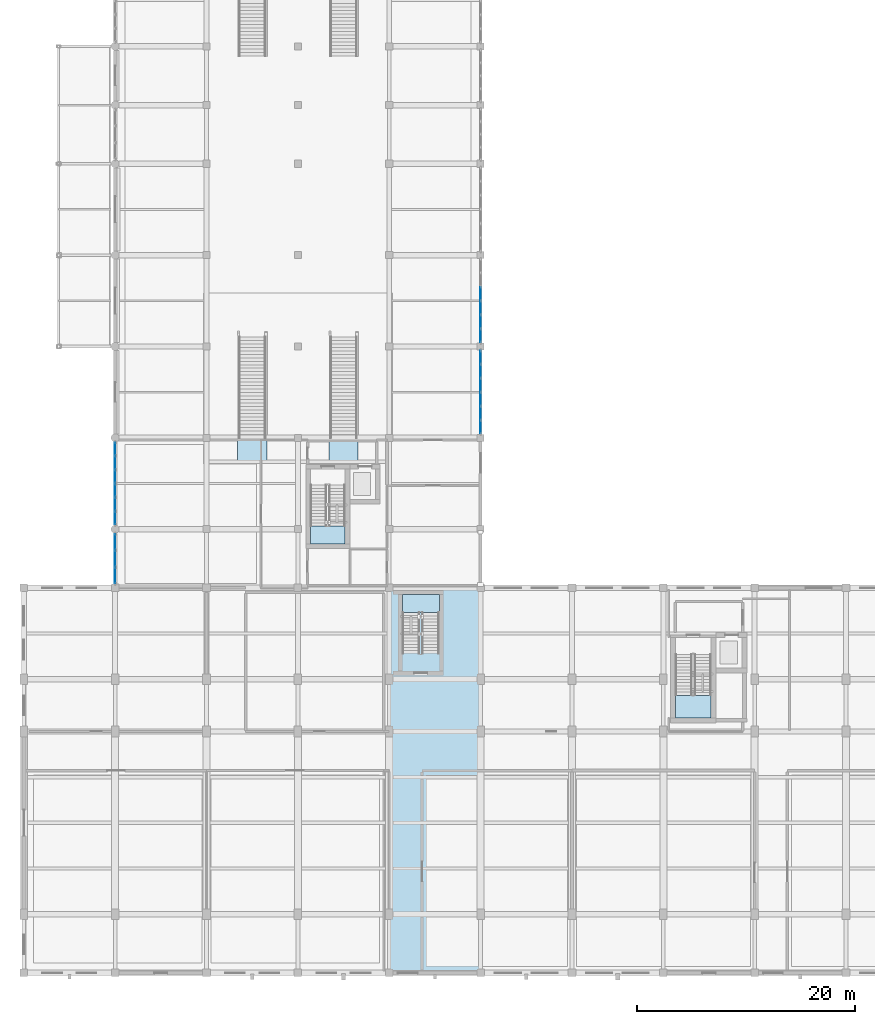
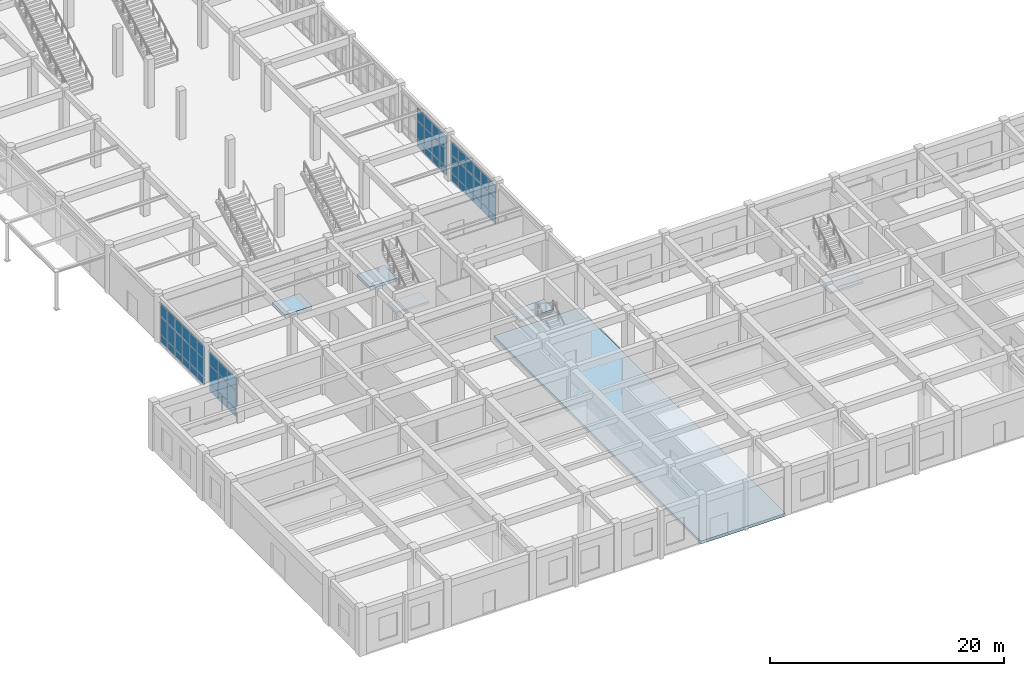
# One storey, part 43 of 80: 57 plates, 6 slabs, 7 elements without a shape of their own.
"""IFC4 building model written with IfcOpenShell, lengths in metres."""

from ifc_helpers import new_model, si_unit, direction, frame, origin, origin_2d, place, context, subcontext, project, spatial, polyline, rectangle, outline, extrude, material, layer, layer_set, type_object, element, aggregate, save


model = new_model("IFC4")

# Units and contexts
model_context = context("Model", 3, precision=1e-05, world=origin(), true_north=direction((0.0, 1.0)))
body_context = subcontext(model_context, "Body", "Model", "MODEL_VIEW")
ifc_project = project(units=[si_unit("LENGTHUNIT", "METRE"), si_unit("AREAUNIT", "SQUARE_METRE"), si_unit("VOLUMEUNIT", "CUBIC_METRE"), si_unit("PLANEANGLEUNIT", "RADIAN"), si_unit("MASSUNIT", "GRAM", prefix="KILO")], contexts=[model_context])

# Site, building, storey
site_placement = place(None, origin())
site = spatial("IfcSite", under=ifc_project, at=site_placement, CompositionType="ELEMENT")
building_placement = place(site_placement, origin())
building = spatial("IfcBuilding", under=site, at=building_placement, Name="Krzemoval Escarpment Law Courts", CompositionType="ELEMENT")
storey_placement = place(building_placement, origin())
storey = spatial("IfcBuildingStorey", under=building, at=storey_placement, Name="L00", CompositionType="ELEMENT", Elevation=0.0)

# Curtain wall, plates
ifc_material_1 = material(Name="Aluminium 6063-T6", Category="aluminium")
ifc_layer_1 = layer(ifc_material_1, 0.280029296875)
ifc_layer_set_1 = layer_set([ifc_layer_1], Name="Aluminium 6063-T6")
curtain_wall_type = type_object("IfcCurtainWallType", Name="CW-HALL-5100", PredefinedType="USERDEFINED", material=ifc_layer_set_1)
curtain_wall_1_placement = place(storey_placement, origin())
curtain_wall_1 = element("IfcCurtainWall", 1, at=curtain_wall_1_placement, inside=storey, type_object=curtain_wall_type, Name="Unitised Curtain Wall FCW-L00-001", ObjectType="UNITISED_CURTAIN_WALL", PredefinedType="USERDEFINED")
ifc_material_2 = material(Name="Triple Glazing IGU", Category="glass")
ifc_layer_2 = layer(ifc_material_2, 0.053955078125)
ifc_layer_set_2 = layer_set([ifc_layer_2], Name="Triple Glazing IGU")
plate_type = type_object("IfcPlateType", Name="CWP-GLZ-54", PredefinedType="CURTAIN_PANEL", material=ifc_layer_set_2)
plate_1_placement = place(storey_placement, frame((8.39990234375, 36.550537109375, 0.0849609375), z_axis=(0.0, 0.0, 1.0), x_axis=(0.0, 1.0, 0.0)))
plate_1 = element("IfcPlate", 2, at=plate_1_placement, type_object=plate_type, Name="FCW-L00-001 panel 1.1", PredefinedType="CURTAIN_PANEL", context=body_context, shape_type="SweptSolid", body=[
    extrude(rectangle(XDim=1.430908203125, YDim=0.053955078125, at=origin_2d()), origin(), (0.0, 0.0, 1.0), 0.7724609375),
])
plate_2_placement = place(storey_placement, frame((8.39990234375, 36.550537109375, 0.942626953125), z_axis=(0.0, 0.0, 1.0), x_axis=(0.0, 1.0, 0.0)))
plate_2 = element("IfcPlate", 3, at=plate_2_placement, type_object=plate_type, Name="FCW-L00-001 panel 1.2", PredefinedType="CURTAIN_PANEL", context=body_context, shape_type="SweptSolid", body=[
    extrude(rectangle(XDim=1.430908203125, YDim=0.053955078125, at=origin_2d()), origin(), (0.0, 0.0, 1.0), 1.81494140625),
])
plate_3_placement = place(storey_placement, frame((8.39990234375, 36.550537109375, 2.842529296875), z_axis=(0.0, 0.0, 1.0), x_axis=(0.0, 1.0, 0.0)))
plate_3 = element("IfcPlate", 4, at=plate_3_placement, type_object=plate_type, Name="FCW-L00-001 panel 1.3", PredefinedType="CURTAIN_PANEL", context=body_context, shape_type="SweptSolid", body=[
    extrude(rectangle(XDim=1.430908203125, YDim=0.053955078125, at=origin_2d()), origin(), (0.0, 0.0, 1.0), 1.29248046875),
])
plate_4_placement = place(storey_placement, frame((8.39990234375, 38.08740234375, 0.0849609375), z_axis=(0.0, 0.0, 1.0), x_axis=(0.0, 1.0, 0.0)))
plate_4 = element("IfcPlate", 5, at=plate_4_placement, type_object=plate_type, Name="FCW-L00-001 panel 2.1", PredefinedType="CURTAIN_PANEL", context=body_context, shape_type="SweptSolid", body=[
    extrude(rectangle(XDim=1.473388671875, YDim=0.053955078125, at=origin_2d()), origin(), (0.0, 0.0, 1.0), 0.7724609375),
])
plate_5_placement = place(storey_placement, frame((8.39990234375, 38.08740234375, 0.942626953125), z_axis=(0.0, 0.0, 1.0), x_axis=(0.0, 1.0, 0.0)))
plate_5 = element("IfcPlate", 6, at=plate_5_placement, type_object=plate_type, Name="FCW-L00-001 panel 2.2", PredefinedType="CURTAIN_PANEL", context=body_context, shape_type="SweptSolid", body=[
    extrude(rectangle(XDim=1.473388671875, YDim=0.053955078125, at=origin_2d()), origin(), (0.0, 0.0, 1.0), 1.81494140625),
])
plate_6_placement = place(storey_placement, frame((8.39990234375, 38.08740234375, 2.842529296875), z_axis=(0.0, 0.0, 1.0), x_axis=(0.0, 1.0, 0.0)))
plate_6 = element("IfcPlate", 7, at=plate_6_placement, type_object=plate_type, Name="FCW-L00-001 panel 2.3", PredefinedType="CURTAIN_PANEL", context=body_context, shape_type="SweptSolid", body=[
    extrude(rectangle(XDim=1.473388671875, YDim=0.053955078125, at=origin_2d()), origin(), (0.0, 0.0, 1.0), 1.29248046875),
])
plate_7_placement = place(storey_placement, frame((8.39990234375, 39.62451171875, 0.0849609375), z_axis=(0.0, 0.0, 1.0), x_axis=(0.0, 1.0, 0.0)))
plate_7 = element("IfcPlate", 8, at=plate_7_placement, type_object=plate_type, Name="FCW-L00-001 panel 3.1", PredefinedType="CURTAIN_PANEL", context=body_context, shape_type="SweptSolid", body=[
    extrude(rectangle(XDim=1.430908203125, YDim=0.053955078125, at=origin_2d()), origin(), (0.0, 0.0, 1.0), 0.7724609375),
])
plate_8_placement = place(storey_placement, frame((8.39990234375, 39.62451171875, 0.942626953125), z_axis=(0.0, 0.0, 1.0), x_axis=(0.0, 1.0, 0.0)))
plate_8 = element("IfcPlate", 9, at=plate_8_placement, type_object=plate_type, Name="FCW-L00-001 panel 3.2", PredefinedType="CURTAIN_PANEL", context=body_context, shape_type="SweptSolid", body=[
    extrude(rectangle(XDim=1.430908203125, YDim=0.053955078125, at=origin_2d()), origin(), (0.0, 0.0, 1.0), 1.81494140625),
])
plate_9_placement = place(storey_placement, frame((8.39990234375, 39.62451171875, 2.842529296875), z_axis=(0.0, 0.0, 1.0), x_axis=(0.0, 1.0, 0.0)))
plate_9 = element("IfcPlate", 10, at=plate_9_placement, type_object=plate_type, Name="FCW-L00-001 panel 3.3", PredefinedType="CURTAIN_PANEL", context=body_context, shape_type="SweptSolid", body=[
    extrude(rectangle(XDim=1.430908203125, YDim=0.053955078125, at=origin_2d()), origin(), (0.0, 0.0, 1.0), 1.29248046875),
])
aggregate(curtain_wall_1, [plate_1, plate_2, plate_3, plate_4, plate_5, plate_6, plate_7, plate_8, plate_9])

curtain_wall_2_placement = place(storey_placement, origin())
curtain_wall_2 = element("IfcCurtainWall", 11, at=curtain_wall_2_placement, inside=storey, type_object=curtain_wall_type, Name="Unitised Curtain Wall FCW-L00-002", ObjectType="UNITISED_CURTAIN_WALL", PredefinedType="USERDEFINED")
plate_10_placement = place(storey_placement, frame((8.39990234375, 41.833740234375, 0.0849609375), z_axis=(0.0, 0.0, 1.0), x_axis=(0.0, 1.0, 0.0)))
plate_10 = element("IfcPlate", 12, at=plate_10_placement, type_object=plate_type, Name="FCW-L00-002 panel 1.1", PredefinedType="CURTAIN_PANEL", context=body_context, shape_type="SweptSolid", body=[
    extrude(rectangle(XDim=1.1474609375, YDim=0.053955078125, at=origin_2d()), origin(), (0.0, 0.0, 1.0), 0.7724609375),
])
plate_11_placement = place(storey_placement, frame((8.39990234375, 41.833740234375, 0.942626953125), z_axis=(0.0, 0.0, 1.0), x_axis=(0.0, 1.0, 0.0)))
plate_11 = element("IfcPlate", 13, at=plate_11_placement, type_object=plate_type, Name="FCW-L00-002 panel 1.2", PredefinedType="CURTAIN_PANEL", context=body_context, shape_type="SweptSolid", body=[
    extrude(rectangle(XDim=1.1474609375, YDim=0.053955078125, at=origin_2d()), origin(), (0.0, 0.0, 1.0), 1.81494140625),
])
plate_12_placement = place(storey_placement, frame((8.39990234375, 41.833740234375, 2.842529296875), z_axis=(0.0, 0.0, 1.0), x_axis=(0.0, 1.0, 0.0)))
plate_12 = element("IfcPlate", 14, at=plate_12_placement, type_object=plate_type, Name="FCW-L00-002 panel 1.3", PredefinedType="CURTAIN_PANEL", context=body_context, shape_type="SweptSolid", body=[
    extrude(rectangle(XDim=1.1474609375, YDim=0.053955078125, at=origin_2d()), origin(), (0.0, 0.0, 1.0), 1.29248046875),
])
plate_13_placement = place(storey_placement, frame((8.39990234375, 43.08740234375, 0.0849609375), z_axis=(0.0, 0.0, 1.0), x_axis=(0.0, 1.0, 0.0)))
plate_13 = element("IfcPlate", 15, at=plate_13_placement, type_object=plate_type, Name="FCW-L00-002 panel 2.1", PredefinedType="CURTAIN_PANEL", context=body_context, shape_type="SweptSolid", body=[
    extrude(rectangle(XDim=1.18994140625, YDim=0.053955078125, at=origin_2d()), origin(), (0.0, 0.0, 1.0), 0.7724609375),
])
plate_14_placement = place(storey_placement, frame((8.39990234375, 43.08740234375, 0.942626953125), z_axis=(0.0, 0.0, 1.0), x_axis=(0.0, 1.0, 0.0)))
plate_14 = element("IfcPlate", 16, at=plate_14_placement, type_object=plate_type, Name="FCW-L00-002 panel 2.2", PredefinedType="CURTAIN_PANEL", context=body_context, shape_type="SweptSolid", body=[
    extrude(rectangle(XDim=1.18994140625, YDim=0.053955078125, at=origin_2d()), origin(), (0.0, 0.0, 1.0), 1.81494140625),
])
plate_15_placement = place(storey_placement, frame((8.39990234375, 43.08740234375, 2.842529296875), z_axis=(0.0, 0.0, 1.0), x_axis=(0.0, 1.0, 0.0)))
plate_15 = element("IfcPlate", 17, at=plate_15_placement, type_object=plate_type, Name="FCW-L00-002 panel 2.3", PredefinedType="CURTAIN_PANEL", context=body_context, shape_type="SweptSolid", body=[
    extrude(rectangle(XDim=1.18994140625, YDim=0.053955078125, at=origin_2d()), origin(), (0.0, 0.0, 1.0), 1.29248046875),
])
plate_16_placement = place(storey_placement, frame((8.39990234375, 44.362548828125, 0.0849609375), z_axis=(0.0, 0.0, 1.0), x_axis=(0.0, 1.0, 0.0)))
plate_16 = element("IfcPlate", 18, at=plate_16_placement, type_object=plate_type, Name="FCW-L00-002 panel 3.1", PredefinedType="CURTAIN_PANEL", context=body_context, shape_type="SweptSolid", body=[
    extrude(rectangle(XDim=1.18994140625, YDim=0.053955078125, at=origin_2d()), origin(), (0.0, 0.0, 1.0), 0.7724609375),
])
plate_17_placement = place(storey_placement, frame((8.39990234375, 44.362548828125, 0.942626953125), z_axis=(0.0, 0.0, 1.0), x_axis=(0.0, 1.0, 0.0)))
plate_17 = element("IfcPlate", 19, at=plate_17_placement, type_object=plate_type, Name="FCW-L00-002 panel 3.2", PredefinedType="CURTAIN_PANEL", context=body_context, shape_type="SweptSolid", body=[
    extrude(rectangle(XDim=1.18994140625, YDim=0.053955078125, at=origin_2d()), origin(), (0.0, 0.0, 1.0), 1.81494140625),
])
plate_18_placement = place(storey_placement, frame((8.39990234375, 44.362548828125, 2.842529296875), z_axis=(0.0, 0.0, 1.0), x_axis=(0.0, 1.0, 0.0)))
plate_18 = element("IfcPlate", 20, at=plate_18_placement, type_object=plate_type, Name="FCW-L00-002 panel 3.3", PredefinedType="CURTAIN_PANEL", context=body_context, shape_type="SweptSolid", body=[
    extrude(rectangle(XDim=1.18994140625, YDim=0.053955078125, at=origin_2d()), origin(), (0.0, 0.0, 1.0), 1.29248046875),
])
plate_19_placement = place(storey_placement, frame((8.39990234375, 45.637451171875, 0.0849609375), z_axis=(0.0, 0.0, 1.0), x_axis=(0.0, 1.0, 0.0)))
plate_19 = element("IfcPlate", 21, at=plate_19_placement, type_object=plate_type, Name="FCW-L00-002 panel 4.1", PredefinedType="CURTAIN_PANEL", context=body_context, shape_type="SweptSolid", body=[
    extrude(rectangle(XDim=1.18994140625, YDim=0.053955078125, at=origin_2d()), origin(), (0.0, 0.0, 1.0), 0.7724609375),
])
plate_20_placement = place(storey_placement, frame((8.39990234375, 45.637451171875, 0.942626953125), z_axis=(0.0, 0.0, 1.0), x_axis=(0.0, 1.0, 0.0)))
plate_20 = element("IfcPlate", 22, at=plate_20_placement, type_object=plate_type, Name="FCW-L00-002 panel 4.2", PredefinedType="CURTAIN_PANEL", context=body_context, shape_type="SweptSolid", body=[
    extrude(rectangle(XDim=1.18994140625, YDim=0.053955078125, at=origin_2d()), origin(), (0.0, 0.0, 1.0), 1.81494140625),
])
plate_21_placement = place(storey_placement, frame((8.39990234375, 45.637451171875, 2.842529296875), z_axis=(0.0, 0.0, 1.0), x_axis=(0.0, 1.0, 0.0)))
plate_21 = element("IfcPlate", 23, at=plate_21_placement, type_object=plate_type, Name="FCW-L00-002 panel 4.3", PredefinedType="CURTAIN_PANEL", context=body_context, shape_type="SweptSolid", body=[
    extrude(rectangle(XDim=1.18994140625, YDim=0.053955078125, at=origin_2d()), origin(), (0.0, 0.0, 1.0), 1.29248046875),
])
plate_22_placement = place(storey_placement, frame((8.39990234375, 46.91259765625, 0.0849609375), z_axis=(0.0, 0.0, 1.0), x_axis=(0.0, 1.0, 0.0)))
plate_22 = element("IfcPlate", 24, at=plate_22_placement, type_object=plate_type, Name="FCW-L00-002 panel 5.1", PredefinedType="CURTAIN_PANEL", context=body_context, shape_type="SweptSolid", body=[
    extrude(rectangle(XDim=1.18994140625, YDim=0.053955078125, at=origin_2d()), origin(), (0.0, 0.0, 1.0), 0.7724609375),
])
plate_23_placement = place(storey_placement, frame((8.39990234375, 46.91259765625, 0.942626953125), z_axis=(0.0, 0.0, 1.0), x_axis=(0.0, 1.0, 0.0)))
plate_23 = element("IfcPlate", 25, at=plate_23_placement, type_object=plate_type, Name="FCW-L00-002 panel 5.2", PredefinedType="CURTAIN_PANEL", context=body_context, shape_type="SweptSolid", body=[
    extrude(rectangle(XDim=1.18994140625, YDim=0.053955078125, at=origin_2d()), origin(), (0.0, 0.0, 1.0), 1.81494140625),
])
plate_24_placement = place(storey_placement, frame((8.39990234375, 46.91259765625, 2.842529296875), z_axis=(0.0, 0.0, 1.0), x_axis=(0.0, 1.0, 0.0)))
plate_24 = element("IfcPlate", 26, at=plate_24_placement, type_object=plate_type, Name="FCW-L00-002 panel 5.3", PredefinedType="CURTAIN_PANEL", context=body_context, shape_type="SweptSolid", body=[
    extrude(rectangle(XDim=1.18994140625, YDim=0.053955078125, at=origin_2d()), origin(), (0.0, 0.0, 1.0), 1.29248046875),
])
plate_25_placement = place(storey_placement, frame((8.39990234375, 48.166259765625, 0.0849609375), z_axis=(0.0, 0.0, 1.0), x_axis=(0.0, 1.0, 0.0)))
plate_25 = element("IfcPlate", 27, at=plate_25_placement, type_object=plate_type, Name="FCW-L00-002 panel 6.1", PredefinedType="CURTAIN_PANEL", context=body_context, shape_type="SweptSolid", body=[
    extrude(rectangle(XDim=1.1474609375, YDim=0.053955078125, at=origin_2d()), origin(), (0.0, 0.0, 1.0), 0.7724609375),
])
plate_26_placement = place(storey_placement, frame((8.39990234375, 48.166259765625, 0.942626953125), z_axis=(0.0, 0.0, 1.0), x_axis=(0.0, 1.0, 0.0)))
plate_26 = element("IfcPlate", 28, at=plate_26_placement, type_object=plate_type, Name="FCW-L00-002 panel 6.2", PredefinedType="CURTAIN_PANEL", context=body_context, shape_type="SweptSolid", body=[
    extrude(rectangle(XDim=1.1474609375, YDim=0.053955078125, at=origin_2d()), origin(), (0.0, 0.0, 1.0), 1.81494140625),
])
plate_27_placement = place(storey_placement, frame((8.39990234375, 48.166259765625, 2.842529296875), z_axis=(0.0, 0.0, 1.0), x_axis=(0.0, 1.0, 0.0)))
plate_27 = element("IfcPlate", 29, at=plate_27_placement, type_object=plate_type, Name="FCW-L00-002 panel 6.3", PredefinedType="CURTAIN_PANEL", context=body_context, shape_type="SweptSolid", body=[
    extrude(rectangle(XDim=1.1474609375, YDim=0.053955078125, at=origin_2d()), origin(), (0.0, 0.0, 1.0), 1.29248046875),
])
aggregate(curtain_wall_2, [plate_10, plate_11, plate_12, plate_13, plate_14, plate_15, plate_16, plate_17, plate_18, plate_19, plate_20, plate_21, plate_22, plate_23, plate_24, plate_25, plate_26, plate_27])

curtain_wall_3_placement = place(storey_placement, origin())
curtain_wall_3 = element("IfcCurtainWall", 30, at=curtain_wall_3_placement, inside=storey, type_object=curtain_wall_type, Name="Unitised Curtain Wall FCW-L00-020", ObjectType="UNITISED_CURTAIN_WALL", PredefinedType="USERDEFINED")
plate_28_placement = place(storey_placement, frame((42.0, 62.44580078125, 0.0849609375), z_axis=(0.0, 0.0, 1.0), x_axis=(0.0, -1.0, 0.0)))
plate_28 = element("IfcPlate", 31, at=plate_28_placement, type_object=plate_type, Name="FCW-L00-020 panel 3.1", PredefinedType="CURTAIN_PANEL", context=body_context, shape_type="SweptSolid", body=[
    extrude(rectangle(XDim=1.206787109375, YDim=0.053955078125, at=origin_2d()), origin(), (0.0, 0.0, 1.0), 0.7724609375),
])
plate_29_placement = place(storey_placement, frame((42.0, 62.44580078125, 0.942626953125), z_axis=(0.0, 0.0, 1.0), x_axis=(0.0, -1.0, 0.0)))
plate_29 = element("IfcPlate", 32, at=plate_29_placement, type_object=plate_type, Name="FCW-L00-020 panel 3.2", PredefinedType="CURTAIN_PANEL", context=body_context, shape_type="SweptSolid", body=[
    extrude(rectangle(XDim=1.206787109375, YDim=0.053955078125, at=origin_2d()), origin(), (0.0, 0.0, 1.0), 1.81494140625),
])
plate_30_placement = place(storey_placement, frame((42.0, 62.44580078125, 2.842529296875), z_axis=(0.0, 0.0, 1.0), x_axis=(0.0, -1.0, 0.0)))
plate_30 = element("IfcPlate", 33, at=plate_30_placement, type_object=plate_type, Name="FCW-L00-020 panel 3.3", PredefinedType="CURTAIN_PANEL", context=body_context, shape_type="SweptSolid", body=[
    extrude(rectangle(XDim=1.206787109375, YDim=0.053955078125, at=origin_2d()), origin(), (0.0, 0.0, 1.0), 1.29248046875),
])
plate_31_placement = place(storey_placement, frame((42.0, 61.154052734375, 0.0849609375), z_axis=(0.0, 0.0, 1.0), x_axis=(0.0, -1.0, 0.0)))
plate_31 = element("IfcPlate", 34, at=plate_31_placement, type_object=plate_type, Name="FCW-L00-020 panel 4.1", PredefinedType="CURTAIN_PANEL", context=body_context, shape_type="SweptSolid", body=[
    extrude(rectangle(XDim=1.206787109375, YDim=0.053955078125, at=origin_2d()), origin(), (0.0, 0.0, 1.0), 0.7724609375),
])
plate_32_placement = place(storey_placement, frame((42.0, 61.154052734375, 0.942626953125), z_axis=(0.0, 0.0, 1.0), x_axis=(0.0, -1.0, 0.0)))
plate_32 = element("IfcPlate", 35, at=plate_32_placement, type_object=plate_type, Name="FCW-L00-020 panel 4.2", PredefinedType="CURTAIN_PANEL", context=body_context, shape_type="SweptSolid", body=[
    extrude(rectangle(XDim=1.206787109375, YDim=0.053955078125, at=origin_2d()), origin(), (0.0, 0.0, 1.0), 1.81494140625),
])
plate_33_placement = place(storey_placement, frame((42.0, 61.154052734375, 2.842529296875), z_axis=(0.0, 0.0, 1.0), x_axis=(0.0, -1.0, 0.0)))
plate_33 = element("IfcPlate", 36, at=plate_33_placement, type_object=plate_type, Name="FCW-L00-020 panel 4.3", PredefinedType="CURTAIN_PANEL", context=body_context, shape_type="SweptSolid", body=[
    extrude(rectangle(XDim=1.206787109375, YDim=0.053955078125, at=origin_2d()), origin(), (0.0, 0.0, 1.0), 1.29248046875),
])
plate_34_placement = place(storey_placement, frame((42.0, 59.862548828125, 0.0849609375), z_axis=(0.0, 0.0, 1.0), x_axis=(0.0, -1.0, 0.0)))
plate_34 = element("IfcPlate", 37, at=plate_34_placement, type_object=plate_type, Name="FCW-L00-020 panel 5.1", PredefinedType="CURTAIN_PANEL", context=body_context, shape_type="SweptSolid", body=[
    extrude(rectangle(XDim=1.206787109375, YDim=0.053955078125, at=origin_2d()), origin(), (0.0, 0.0, 1.0), 0.7724609375),
])
plate_35_placement = place(storey_placement, frame((42.0, 59.862548828125, 0.942626953125), z_axis=(0.0, 0.0, 1.0), x_axis=(0.0, -1.0, 0.0)))
plate_35 = element("IfcPlate", 38, at=plate_35_placement, type_object=plate_type, Name="FCW-L00-020 panel 5.2", PredefinedType="CURTAIN_PANEL", context=body_context, shape_type="SweptSolid", body=[
    extrude(rectangle(XDim=1.206787109375, YDim=0.053955078125, at=origin_2d()), origin(), (0.0, 0.0, 1.0), 1.81494140625),
])
plate_36_placement = place(storey_placement, frame((42.0, 59.862548828125, 2.842529296875), z_axis=(0.0, 0.0, 1.0), x_axis=(0.0, -1.0, 0.0)))
plate_36 = element("IfcPlate", 39, at=plate_36_placement, type_object=plate_type, Name="FCW-L00-020 panel 5.3", PredefinedType="CURTAIN_PANEL", context=body_context, shape_type="SweptSolid", body=[
    extrude(rectangle(XDim=1.206787109375, YDim=0.053955078125, at=origin_2d()), origin(), (0.0, 0.0, 1.0), 1.29248046875),
])
plate_37_placement = place(storey_placement, frame((42.0, 58.592041015625, 0.0849609375), z_axis=(0.0, 0.0, 1.0), x_axis=(0.0, -1.0, 0.0)))
plate_37 = element("IfcPlate", 40, at=plate_37_placement, type_object=plate_type, Name="FCW-L00-020 panel 6.1", PredefinedType="CURTAIN_PANEL", context=body_context, shape_type="SweptSolid", body=[
    extrude(rectangle(XDim=1.1640625, YDim=0.053955078125, at=origin_2d()), origin(), (0.0, 0.0, 1.0), 0.7724609375),
])
plate_38_placement = place(storey_placement, frame((42.0, 58.592041015625, 0.942626953125), z_axis=(0.0, 0.0, 1.0), x_axis=(0.0, -1.0, 0.0)))
plate_38 = element("IfcPlate", 41, at=plate_38_placement, type_object=plate_type, Name="FCW-L00-020 panel 6.2", PredefinedType="CURTAIN_PANEL", context=body_context, shape_type="SweptSolid", body=[
    extrude(rectangle(XDim=1.1640625, YDim=0.053955078125, at=origin_2d()), origin(), (0.0, 0.0, 1.0), 1.81494140625),
])
plate_39_placement = place(storey_placement, frame((42.0, 58.592041015625, 2.842529296875), z_axis=(0.0, 0.0, 1.0), x_axis=(0.0, -1.0, 0.0)))
plate_39 = element("IfcPlate", 42, at=plate_39_placement, type_object=plate_type, Name="FCW-L00-020 panel 6.3", PredefinedType="CURTAIN_PANEL", context=body_context, shape_type="SweptSolid", body=[
    extrude(rectangle(XDim=1.1640625, YDim=0.053955078125, at=origin_2d()), origin(), (0.0, 0.0, 1.0), 1.29248046875),
])
aggregate(curtain_wall_3, [plate_28, plate_29, plate_30, plate_31, plate_32, plate_33, plate_34, plate_35, plate_36, plate_37, plate_38, plate_39])

curtain_wall_4_placement = place(storey_placement, origin())
curtain_wall_4 = element("IfcCurtainWall", 43, at=curtain_wall_4_placement, inside=storey, type_object=curtain_wall_type, Name="Unitised Curtain Wall FCW-L00-021", ObjectType="UNITISED_CURTAIN_WALL", PredefinedType="USERDEFINED")
plate_40_placement = place(storey_placement, frame((42.0, 56.60791015625, 0.0849609375), z_axis=(0.0, 0.0, 1.0), x_axis=(0.0, -1.0, 0.0)))
plate_40 = element("IfcPlate", 44, at=plate_40_placement, type_object=plate_type, Name="FCW-L00-021 panel 1.1", PredefinedType="CURTAIN_PANEL", context=body_context, shape_type="SweptSolid", body=[
    extrude(rectangle(XDim=1.1640625, YDim=0.053955078125, at=origin_2d()), origin(), (0.0, 0.0, 1.0), 0.7724609375),
])
plate_41_placement = place(storey_placement, frame((42.0, 56.60791015625, 0.942626953125), z_axis=(0.0, 0.0, 1.0), x_axis=(0.0, -1.0, 0.0)))
plate_41 = element("IfcPlate", 45, at=plate_41_placement, type_object=plate_type, Name="FCW-L00-021 panel 1.2", PredefinedType="CURTAIN_PANEL", context=body_context, shape_type="SweptSolid", body=[
    extrude(rectangle(XDim=1.1640625, YDim=0.053955078125, at=origin_2d()), origin(), (0.0, 0.0, 1.0), 1.81494140625),
])
plate_42_placement = place(storey_placement, frame((42.0, 56.60791015625, 2.842529296875), z_axis=(0.0, 0.0, 1.0), x_axis=(0.0, -1.0, 0.0)))
plate_42 = element("IfcPlate", 46, at=plate_42_placement, type_object=plate_type, Name="FCW-L00-021 panel 1.3", PredefinedType="CURTAIN_PANEL", context=body_context, shape_type="SweptSolid", body=[
    extrude(rectangle(XDim=1.1640625, YDim=0.053955078125, at=origin_2d()), origin(), (0.0, 0.0, 1.0), 1.29248046875),
])
plate_43_placement = place(storey_placement, frame((42.0, 55.33740234375, 0.0849609375), z_axis=(0.0, 0.0, 1.0), x_axis=(0.0, -1.0, 0.0)))
plate_43 = element("IfcPlate", 47, at=plate_43_placement, type_object=plate_type, Name="FCW-L00-021 panel 2.1", PredefinedType="CURTAIN_PANEL", context=body_context, shape_type="SweptSolid", body=[
    extrude(rectangle(XDim=1.206787109375, YDim=0.053955078125, at=origin_2d()), origin(), (0.0, 0.0, 1.0), 0.7724609375),
])
plate_44_placement = place(storey_placement, frame((42.0, 55.33740234375, 0.942626953125), z_axis=(0.0, 0.0, 1.0), x_axis=(0.0, -1.0, 0.0)))
plate_44 = element("IfcPlate", 48, at=plate_44_placement, type_object=plate_type, Name="FCW-L00-021 panel 2.2", PredefinedType="CURTAIN_PANEL", context=body_context, shape_type="SweptSolid", body=[
    extrude(rectangle(XDim=1.206787109375, YDim=0.053955078125, at=origin_2d()), origin(), (0.0, 0.0, 1.0), 1.81494140625),
])
plate_45_placement = place(storey_placement, frame((42.0, 55.33740234375, 2.842529296875), z_axis=(0.0, 0.0, 1.0), x_axis=(0.0, -1.0, 0.0)))
plate_45 = element("IfcPlate", 49, at=plate_45_placement, type_object=plate_type, Name="FCW-L00-021 panel 2.3", PredefinedType="CURTAIN_PANEL", context=body_context, shape_type="SweptSolid", body=[
    extrude(rectangle(XDim=1.206787109375, YDim=0.053955078125, at=origin_2d()), origin(), (0.0, 0.0, 1.0), 1.29248046875),
])
plate_46_placement = place(storey_placement, frame((42.0, 54.0458984375, 0.0849609375), z_axis=(0.0, 0.0, 1.0), x_axis=(0.0, -1.0, 0.0)))
plate_46 = element("IfcPlate", 50, at=plate_46_placement, type_object=plate_type, Name="FCW-L00-021 panel 3.1", PredefinedType="CURTAIN_PANEL", context=body_context, shape_type="SweptSolid", body=[
    extrude(rectangle(XDim=1.206787109375, YDim=0.053955078125, at=origin_2d()), origin(), (0.0, 0.0, 1.0), 0.7724609375),
])
plate_47_placement = place(storey_placement, frame((42.0, 54.0458984375, 0.942626953125), z_axis=(0.0, 0.0, 1.0), x_axis=(0.0, -1.0, 0.0)))
plate_47 = element("IfcPlate", 51, at=plate_47_placement, type_object=plate_type, Name="FCW-L00-021 panel 3.2", PredefinedType="CURTAIN_PANEL", context=body_context, shape_type="SweptSolid", body=[
    extrude(rectangle(XDim=1.206787109375, YDim=0.053955078125, at=origin_2d()), origin(), (0.0, 0.0, 1.0), 1.81494140625),
])
plate_48_placement = place(storey_placement, frame((42.0, 54.0458984375, 2.842529296875), z_axis=(0.0, 0.0, 1.0), x_axis=(0.0, -1.0, 0.0)))
plate_48 = element("IfcPlate", 52, at=plate_48_placement, type_object=plate_type, Name="FCW-L00-021 panel 3.3", PredefinedType="CURTAIN_PANEL", context=body_context, shape_type="SweptSolid", body=[
    extrude(rectangle(XDim=1.206787109375, YDim=0.053955078125, at=origin_2d()), origin(), (0.0, 0.0, 1.0), 1.29248046875),
])
plate_49_placement = place(storey_placement, frame((42.0, 52.754150390625, 0.0849609375), z_axis=(0.0, 0.0, 1.0), x_axis=(0.0, -1.0, 0.0)))
plate_49 = element("IfcPlate", 53, at=plate_49_placement, type_object=plate_type, Name="FCW-L00-021 panel 4.1", PredefinedType="CURTAIN_PANEL", context=body_context, shape_type="SweptSolid", body=[
    extrude(rectangle(XDim=1.206787109375, YDim=0.053955078125, at=origin_2d()), origin(), (0.0, 0.0, 1.0), 0.7724609375),
])
plate_50_placement = place(storey_placement, frame((42.0, 52.754150390625, 0.942626953125), z_axis=(0.0, 0.0, 1.0), x_axis=(0.0, -1.0, 0.0)))
plate_50 = element("IfcPlate", 54, at=plate_50_placement, type_object=plate_type, Name="FCW-L00-021 panel 4.2", PredefinedType="CURTAIN_PANEL", context=body_context, shape_type="SweptSolid", body=[
    extrude(rectangle(XDim=1.206787109375, YDim=0.053955078125, at=origin_2d()), origin(), (0.0, 0.0, 1.0), 1.81494140625),
])
plate_51_placement = place(storey_placement, frame((42.0, 52.754150390625, 2.842529296875), z_axis=(0.0, 0.0, 1.0), x_axis=(0.0, -1.0, 0.0)))
plate_51 = element("IfcPlate", 55, at=plate_51_placement, type_object=plate_type, Name="FCW-L00-021 panel 4.3", PredefinedType="CURTAIN_PANEL", context=body_context, shape_type="SweptSolid", body=[
    extrude(rectangle(XDim=1.206787109375, YDim=0.053955078125, at=origin_2d()), origin(), (0.0, 0.0, 1.0), 1.29248046875),
])
plate_52_placement = place(storey_placement, frame((42.0, 51.46240234375, 0.0849609375), z_axis=(0.0, 0.0, 1.0), x_axis=(0.0, -1.0, 0.0)))
plate_52 = element("IfcPlate", 56, at=plate_52_placement, type_object=plate_type, Name="FCW-L00-021 panel 5.1", PredefinedType="CURTAIN_PANEL", context=body_context, shape_type="SweptSolid", body=[
    extrude(rectangle(XDim=1.206787109375, YDim=0.053955078125, at=origin_2d()), origin(), (0.0, 0.0, 1.0), 0.7724609375),
])
plate_53_placement = place(storey_placement, frame((42.0, 51.46240234375, 0.942626953125), z_axis=(0.0, 0.0, 1.0), x_axis=(0.0, -1.0, 0.0)))
plate_53 = element("IfcPlate", 57, at=plate_53_placement, type_object=plate_type, Name="FCW-L00-021 panel 5.2", PredefinedType="CURTAIN_PANEL", context=body_context, shape_type="SweptSolid", body=[
    extrude(rectangle(XDim=1.206787109375, YDim=0.053955078125, at=origin_2d()), origin(), (0.0, 0.0, 1.0), 1.81494140625),
])
plate_54_placement = place(storey_placement, frame((42.0, 51.46240234375, 2.842529296875), z_axis=(0.0, 0.0, 1.0), x_axis=(0.0, -1.0, 0.0)))
plate_54 = element("IfcPlate", 58, at=plate_54_placement, type_object=plate_type, Name="FCW-L00-021 panel 5.3", PredefinedType="CURTAIN_PANEL", context=body_context, shape_type="SweptSolid", body=[
    extrude(rectangle(XDim=1.206787109375, YDim=0.053955078125, at=origin_2d()), origin(), (0.0, 0.0, 1.0), 1.29248046875),
])
plate_55_placement = place(storey_placement, frame((42.0, 50.192138671875, 0.0849609375), z_axis=(0.0, 0.0, 1.0), x_axis=(0.0, -1.0, 0.0)))
plate_55 = element("IfcPlate", 59, at=plate_55_placement, type_object=plate_type, Name="FCW-L00-021 panel 6.1", PredefinedType="CURTAIN_PANEL", context=body_context, shape_type="SweptSolid", body=[
    extrude(rectangle(XDim=1.1640625, YDim=0.053955078125, at=origin_2d()), origin(), (0.0, 0.0, 1.0), 0.7724609375),
])
plate_56_placement = place(storey_placement, frame((42.0, 50.192138671875, 0.942626953125), z_axis=(0.0, 0.0, 1.0), x_axis=(0.0, -1.0, 0.0)))
plate_56 = element("IfcPlate", 60, at=plate_56_placement, type_object=plate_type, Name="FCW-L00-021 panel 6.2", PredefinedType="CURTAIN_PANEL", context=body_context, shape_type="SweptSolid", body=[
    extrude(rectangle(XDim=1.1640625, YDim=0.053955078125, at=origin_2d()), origin(), (0.0, 0.0, 1.0), 1.81494140625),
])
plate_57_placement = place(storey_placement, frame((42.0, 50.192138671875, 2.842529296875), z_axis=(0.0, 0.0, 1.0), x_axis=(0.0, -1.0, 0.0)))
plate_57 = element("IfcPlate", 61, at=plate_57_placement, type_object=plate_type, Name="FCW-L00-021 panel 6.3", PredefinedType="CURTAIN_PANEL", context=body_context, shape_type="SweptSolid", body=[
    extrude(rectangle(XDim=1.1640625, YDim=0.053955078125, at=origin_2d()), origin(), (0.0, 0.0, 1.0), 1.29248046875),
])
aggregate(curtain_wall_4, [plate_40, plate_41, plate_42, plate_43, plate_44, plate_45, plate_46, plate_47, plate_48, plate_49, plate_50, plate_51, plate_52, plate_53, plate_54, plate_55, plate_56, plate_57])

# Slabs
ifc_material_3 = material(Name="Concrete C40/50", Category="concrete")
ifc_layer_3 = layer(ifc_material_3, 0.300048828125)
ifc_layer_set_3 = layer_set([ifc_layer_3], Name="Concrete C40/50")
slab_type_1 = type_object("IfcSlabType", Name="SL-FLR-300", PredefinedType="FLOOR", material=ifc_layer_set_3)
slab_1_placement = place(storey_placement, frame((0.0, 0.0, -0.300048828125)))
element("IfcSlab", 62, at=slab_1_placement, inside=storey, type_object=slab_type_1, Name="Floor Slab SL-L00-V2-007", PredefinedType="FLOOR", context=body_context, shape_type="SweptSolid", body=[
    extrude(outline(polyline([(33.60009765625, 0.0), (33.60009765625, 35.39990234375), (41.9599609375, 35.39990234375), (41.9599609375, 0.0), (33.60009765625, 0.0)])), origin(), (0.0, 0.0, 1.0), 0.300048828125),
])
slab_2_placement = place(storey_placement, frame((0.0, 0.0, -0.300048828125)))
element("IfcSlab", 63, at=slab_2_placement, inside=storey, type_object=slab_type_1, Name="Atrium Stair Threshold Slab SL-ST7-L00-FL", PredefinedType="FLOOR", context=body_context, shape_type="SweptSolid", body=[
    extrude(outline(polyline([(22.35009765625, 47.0), (22.35009765625, 49.199951171875), (19.64990234375, 49.199951171875), (19.64990234375, 47.0), (22.35009765625, 47.0)])), origin(), (0.0, 0.0, 1.0), 0.300048828125),
])
slab_3_placement = place(storey_placement, frame((0.0, 0.0, -0.300048828125)))
element("IfcSlab", 64, at=slab_3_placement, inside=storey, type_object=slab_type_1, Name="Atrium Stair Threshold Slab SL-ST8-L00-FL", PredefinedType="FLOOR", context=body_context, shape_type="SweptSolid", body=[
    extrude(outline(polyline([(30.75, 47.0), (30.75, 49.199951171875), (28.050048828125, 49.199951171875), (28.050048828125, 47.0), (30.75, 47.0)])), origin(), (0.0, 0.0, 1.0), 0.300048828125),
])

# Stair, slab
ifc_material_4 = material(Name="Concrete C40/50", Category="concrete")
stair_type_1 = type_object("IfcStairType", Name="STR-CORE-1550", PredefinedType="HALF_TURN_STAIR", material=ifc_material_4)
stair_1_placement = place(storey_placement, origin())
stair_1 = element("IfcStair", 65, at=stair_1_placement, inside=storey, type_object=stair_type_1, Name="L00 ST4", PredefinedType="HALF_TURN_STAIR")
ifc_material_5 = material(Name="Concrete C40/50", Category="concrete")
ifc_layer_4 = layer(ifc_material_5, 0.199951171875)
ifc_layer_set_4 = layer_set([ifc_layer_4], Name="Concrete C40/50")
slab_type_2 = type_object("IfcSlabType", Name="SL-LND-200", PredefinedType="LANDING", material=ifc_layer_set_4)
slab_4_placement = place(storey_placement, frame((0.0, 0.0, 2.35009765625)))
slab_4 = element("IfcSlab", 66, at=slab_4_placement, type_object=slab_type_2, Name="ST4 landing 1", PredefinedType="LANDING", context=body_context, shape_type="SweptSolid", body=[
    extrude(outline(polyline([(59.89990234375, 25.530029296875), (59.89990234375, 23.449951171875), (63.199951171875, 23.449951171875), (63.199951171875, 25.530029296875), (59.89990234375, 25.530029296875)])), origin(), (0.0, 0.0, 1.0), 0.199951171875),
])
aggregate(stair_1, [slab_4])

ifc_material_6 = material(Name="Concrete C40/50", Category="concrete")
stair_type_2 = type_object("IfcStairType", Name="STR-CORE-1500", PredefinedType="HALF_TURN_STAIR", material=ifc_material_6)
stair_2_placement = place(storey_placement, origin())
stair_2 = element("IfcStair", 67, at=stair_2_placement, inside=storey, type_object=stair_type_2, Name="L00 ST5", PredefinedType="HALF_TURN_STAIR")
slab_5_placement = place(storey_placement, frame((0.0, 0.0, 2.35009765625)))
slab_5 = element("IfcSlab", 68, at=slab_5_placement, type_object=slab_type_2, Name="ST5 landing 1", PredefinedType="LANDING", context=body_context, shape_type="SweptSolid", body=[
    extrude(outline(polyline([(26.35009765625, 41.080078125), (26.35009765625, 39.449951171875), (29.550048828125, 39.449951171875), (29.550048828125, 41.080078125), (26.35009765625, 41.080078125)])), origin(), (0.0, 0.0, 1.0), 0.199951171875),
])
aggregate(stair_2, [slab_5])

ifc_material_7 = material(Name="Concrete C40/50", Category="concrete")
stair_type_3 = type_object("IfcStairType", Name="STR-CORE-1600", PredefinedType="HALF_TURN_STAIR", material=ifc_material_7)
stair_3_placement = place(storey_placement, origin())
stair_3 = element("IfcStair", 69, at=stair_3_placement, inside=storey, type_object=stair_type_3, Name="L00 ST9", PredefinedType="HALF_TURN_STAIR")
slab_6_placement = place(storey_placement, frame((0.0, 0.0, 2.35009765625)))
slab_6 = element("IfcSlab", 70, at=slab_6_placement, type_object=slab_type_2, Name="ST9 landing 1", PredefinedType="LANDING", context=body_context, shape_type="SweptSolid", body=[
    extrude(outline(polyline([(38.199951171875, 33.1201171875), (38.199951171875, 34.800048828125), (34.800048828125, 34.800048828125), (34.800048828125, 33.1201171875), (38.199951171875, 33.1201171875)])), origin(), (0.0, 0.0, 1.0), 0.199951171875),
])
aggregate(stair_3, [slab_6])

save(model, "model.ifc")
